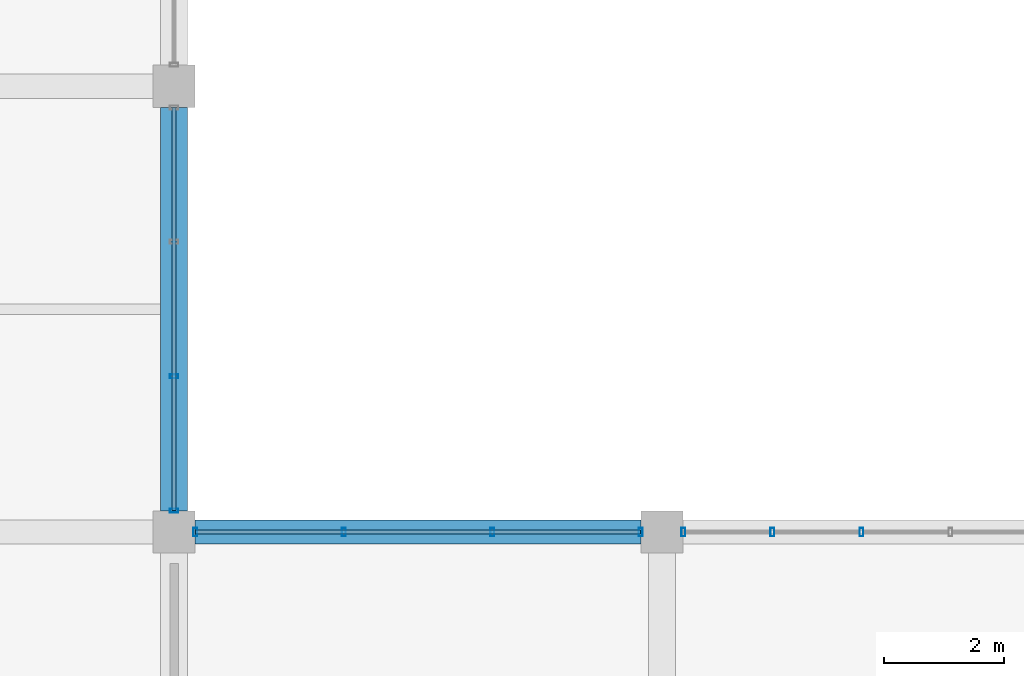
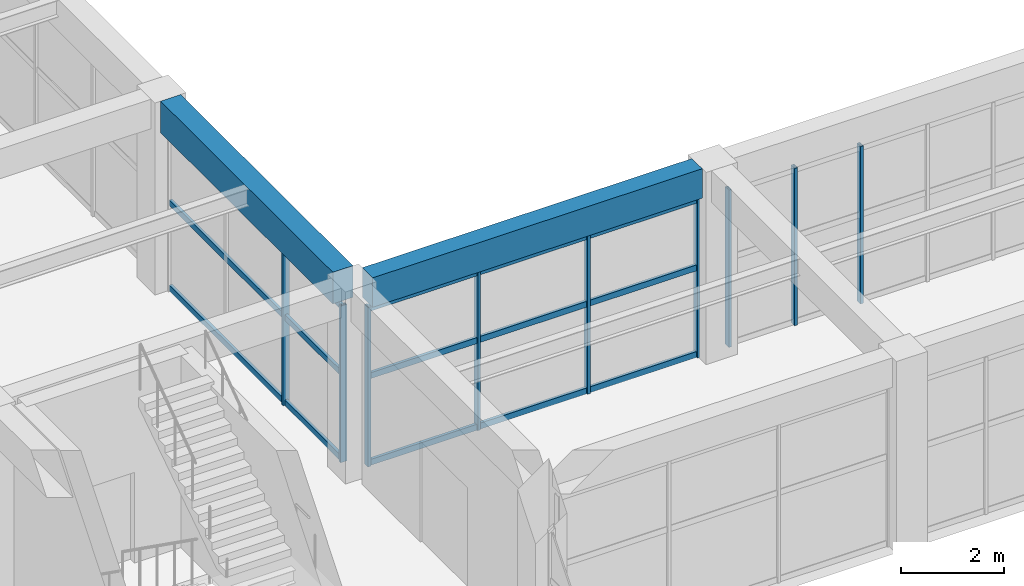
# One storey, part 31 of 161: 15 members, 2 beams, 3 elements without a shape of their own.
"""IFC4 building model written with IfcOpenShell, lengths in metres."""

from ifc_helpers import new_model, si_unit, direction, frame, origin, origin_2d, place, context, subcontext, project, spatial, rectangle, hollow_rectangle, extrude, material, material_profile, profile_set, type_object, element, aggregate, save


model = new_model("IFC4")

# Units and contexts
model_context = context("Model", 3, precision=1e-05, world=origin(), true_north=direction((0.0, 1.0)))
body_context = subcontext(model_context, "Body", "Model", "MODEL_VIEW")
ifc_project = project(units=[si_unit("LENGTHUNIT", "METRE"), si_unit("AREAUNIT", "SQUARE_METRE"), si_unit("VOLUMEUNIT", "CUBIC_METRE"), si_unit("PLANEANGLEUNIT", "RADIAN"), si_unit("MASSUNIT", "GRAM", prefix="KILO")], contexts=[model_context])

# Site, building, storey
site_placement = place(None, origin())
site = spatial("IfcSite", under=ifc_project, at=site_placement, CompositionType="ELEMENT")
building_placement = place(site_placement, origin())
building = spatial("IfcBuilding", under=site, at=building_placement, Name="Cimatlan Art Gallery", CompositionType="ELEMENT")
storey_placement = place(building_placement, frame((0.0, 0.0, 5.39990234375)))
storey = spatial("IfcBuildingStorey", under=building, at=storey_placement, Name="L01", CompositionType="ELEMENT", Elevation=5.39990234375)

# Beams
ifc_material_1 = material(Name="Concrete C40/50", Category="concrete")
ifc_material_profile_1 = material_profile(ifc_material_1, rectangle(XDim=0.39990234375, YDim=0.699951171875, at=origin_2d()), Name="RC400X700")
ifc_profile_set_1 = profile_set([ifc_material_profile_1], Name="Concrete C40/50")
beam_type_1 = type_object("IfcBeamType", Name="BM-RC-400X700", PredefinedType="BEAM", material=ifc_profile_set_1)
beam_1_placement = place(storey_placement, frame((50.949951171875, 60.89990234375, 4.210205078125), z_axis=(1.0, 0.0, 0.0), x_axis=(0.0, 1.0, 0.0)))
element("IfcBeam", 1, at=beam_1_placement, inside=storey, type_object=beam_type_1, Name="BM-X-L01-06-08", PredefinedType="BEAM", context=body_context, shape_type="SweptSolid", body=[
    extrude(rectangle(XDim=0.39990234375, YDim=0.699951171875, at=origin_2d()), origin(), (0.0, 0.0, 1.0), 7.400146484375),
])
ifc_material_profile_2 = material_profile(ifc_material_1, rectangle(XDim=0.449951171875, YDim=0.75, at=origin_2d()), Name="RC450X750")
ifc_profile_set_2 = profile_set([ifc_material_profile_2], Name="Concrete C40/50")
beam_type_2 = type_object("IfcBeamType", Name="BM-RC-450X750", PredefinedType="BEAM", material=ifc_profile_set_2)
beam_2_placement = place(storey_placement, frame((50.60009765625, 61.25, 4.18505859375), z_axis=(0.0, 1.0, 0.0), x_axis=(-1.0, 0.0, 0.0)))
element("IfcBeam", 2, at=beam_2_placement, inside=storey, type_object=beam_type_2, Name="BM-Y-L01-06-08", PredefinedType="BEAM", context=body_context, shape_type="SweptSolid", body=[
    extrude(rectangle(XDim=0.449951171875, YDim=0.75, at=origin_2d()), origin(), (0.0, 0.0, 1.0), 6.699951171875),
])

# Curtain wall, members
ifc_material_2 = material(Name="Anodised bronze unitised curtain wall")
curtain_wall_type_1 = type_object("IfcCurtainWallType", Name="CW-V-06692X03720-B3", PredefinedType="NOTDEFINED", material=ifc_material_2)
curtain_wall_1_placement = place(storey_placement, origin())
curtain_wall_1 = element("IfcCurtainWall", 3, at=curtain_wall_1_placement, inside=storey, type_object=curtain_wall_type_1, Name="CW-L01-05-08-E", PredefinedType="NOTDEFINED")
ifc_material_3 = material(Name="Anodised bronze aluminium 6063-T6", Category="aluminium")
ifc_material_profile_3 = material_profile(ifc_material_3, hollow_rectangle(XDim=0.06494140625, YDim=0.139892578125, WallThickness=0.00390625, at=origin_2d()), Name="ALU65X140X4")
ifc_profile_set_3 = profile_set([ifc_material_profile_3], Name="Anodised bronze aluminium 6063-T6")
member_type_1 = type_object("IfcMemberType", Name="CW-MUL-140", PredefinedType="MULLION", material=ifc_profile_set_3)
member_1_placement = place(storey_placement, frame((50.60009765625, 63.484619140625, 0.0), z_axis=(0.0, 0.0, 1.0), x_axis=(0.0, 1.0, 0.0)))
member_1 = element("IfcMember", 4, at=member_1_placement, type_object=member_type_1, Name="CW-L01-05-08-E-M3", PredefinedType="MULLION", context=body_context, shape_type="SweptSolid", body=[
    extrude(hollow_rectangle(XDim=0.06494140625, YDim=0.139892578125, WallThickness=0.00390625, at=origin_2d()), origin(), (0.0, 0.0, 1.0), 3.72021484375),
])
member_2_placement = place(storey_placement, frame((50.60009765625, 61.25390625, 0.0), z_axis=(0.0, 0.0, 1.0), x_axis=(0.0, 1.0, 0.0)))
member_2 = element("IfcMember", 5, at=member_2_placement, type_object=member_type_1, Name="CW-L01-05-08-E-M4", PredefinedType="MULLION", context=body_context, shape_type="SweptSolid", body=[
    extrude(hollow_rectangle(XDim=0.06494140625, YDim=0.139892578125, WallThickness=0.00390625, at=origin_2d()), origin(), (0.0, 0.0, 1.0), 3.72021484375),
])

curtain_wall_type_2 = type_object("IfcCurtainWallType", Name="CW-V-07392X03780-B3", PredefinedType="NOTDEFINED", material=ifc_material_2)
curtain_wall_2_placement = place(storey_placement, origin())
curtain_wall_2 = element("IfcCurtainWall", 6, at=curtain_wall_2_placement, inside=storey, type_object=curtain_wall_type_2, Name="CW-L01-06-07-N", PredefinedType="NOTDEFINED")
member_3_placement = place(storey_placement, frame((50.9541015625, 60.89990234375, 0.0), z_axis=(0.0, 0.0, 1.0), x_axis=(1.0, 0.0, 0.0)))
member_3 = element("IfcMember", 7, at=member_3_placement, type_object=member_type_1, Name="CW-L01-06-07-N-M1", PredefinedType="MULLION", context=body_context, shape_type="SweptSolid", body=[
    extrude(hollow_rectangle(XDim=0.06494140625, YDim=0.139892578125, WallThickness=0.00390625, at=origin_2d()), origin(), (0.0, 0.0, 1.0), 3.780029296875),
])
member_4_placement = place(storey_placement, frame((53.41796875, 60.89990234375, 0.0), z_axis=(0.0, 0.0, 1.0), x_axis=(1.0, 0.0, 0.0)))
member_4 = element("IfcMember", 8, at=member_4_placement, type_object=member_type_1, Name="CW-L01-06-07-N-M2", PredefinedType="MULLION", context=body_context, shape_type="SweptSolid", body=[
    extrude(hollow_rectangle(XDim=0.06494140625, YDim=0.139892578125, WallThickness=0.00390625, at=origin_2d()), origin(), (0.0, 0.0, 1.0), 3.780029296875),
])
member_5_placement = place(storey_placement, frame((55.882080078125, 60.89990234375, 0.0), z_axis=(0.0, 0.0, 1.0), x_axis=(1.0, 0.0, 0.0)))
member_5 = element("IfcMember", 9, at=member_5_placement, type_object=member_type_1, Name="CW-L01-06-07-N-M3", PredefinedType="MULLION", context=body_context, shape_type="SweptSolid", body=[
    extrude(hollow_rectangle(XDim=0.06494140625, YDim=0.139892578125, WallThickness=0.00390625, at=origin_2d()), origin(), (0.0, 0.0, 1.0), 3.780029296875),
])
member_6_placement = place(storey_placement, frame((58.345947265625, 60.89990234375, 0.0), z_axis=(0.0, 0.0, 1.0), x_axis=(1.0, 0.0, 0.0)))
member_6 = element("IfcMember", 10, at=member_6_placement, type_object=member_type_1, Name="CW-L01-06-07-N-M4", PredefinedType="MULLION", context=body_context, shape_type="SweptSolid", body=[
    extrude(hollow_rectangle(XDim=0.06494140625, YDim=0.139892578125, WallThickness=0.00390625, at=origin_2d()), origin(), (0.0, 0.0, 1.0), 3.780029296875),
])

curtain_wall_type_3 = type_object("IfcCurtainWallType", Name="CW-V-07392X03735-B5", PredefinedType="NOTDEFINED", material=ifc_material_2)
curtain_wall_3_placement = place(storey_placement, origin())
curtain_wall_3 = element("IfcCurtainWall", 11, at=curtain_wall_3_placement, inside=storey, type_object=curtain_wall_type_3, Name="CW-L01-07-07-N", PredefinedType="NOTDEFINED")
member_7_placement = place(storey_placement, frame((59.053955078125, 60.89990234375, 0.0), z_axis=(0.0, 0.0, 1.0), x_axis=(1.0, 0.0, 0.0)))
member_7 = element("IfcMember", 12, at=member_7_placement, type_object=member_type_1, Name="CW-L01-07-07-N-M1", PredefinedType="MULLION", context=body_context, shape_type="SweptSolid", body=[
    extrude(hollow_rectangle(XDim=0.06494140625, YDim=0.139892578125, WallThickness=0.00390625, at=origin_2d()), origin(), (0.0, 0.0, 1.0), 3.735107421875),
])
member_8_placement = place(storey_placement, frame((60.532470703125, 60.89990234375, 0.0), z_axis=(0.0, 0.0, 1.0), x_axis=(1.0, 0.0, 0.0)))
member_8 = element("IfcMember", 13, at=member_8_placement, type_object=member_type_1, Name="CW-L01-07-07-N-M2", PredefinedType="MULLION", context=body_context, shape_type="SweptSolid", body=[
    extrude(hollow_rectangle(XDim=0.06494140625, YDim=0.139892578125, WallThickness=0.00390625, at=origin_2d()), origin(), (0.0, 0.0, 1.0), 3.735107421875),
])
member_9_placement = place(storey_placement, frame((62.0107421875, 60.89990234375, 0.0), z_axis=(0.0, 0.0, 1.0), x_axis=(1.0, 0.0, 0.0)))
member_9 = element("IfcMember", 14, at=member_9_placement, type_object=member_type_1, Name="CW-L01-07-07-N-M3", PredefinedType="MULLION", context=body_context, shape_type="SweptSolid", body=[
    extrude(hollow_rectangle(XDim=0.06494140625, YDim=0.139892578125, WallThickness=0.00390625, at=origin_2d()), origin(), (0.0, 0.0, 1.0), 3.735107421875),
])
aggregate(curtain_wall_3, [member_7, member_8, member_9])

# Member
ifc_material_profile_4 = material_profile(ifc_material_3, hollow_rectangle(XDim=0.06494140625, YDim=0.139892578125, WallThickness=0.00390625, at=origin_2d()), Name="ALU65X140X4")
ifc_profile_set_4 = profile_set([ifc_material_profile_4], Name="Anodised bronze aluminium 6063-T6")
member_type_2 = type_object("IfcMemberType", Name="CW-TRN-140", PredefinedType="USERDEFINED", material=ifc_profile_set_4)
member_10_placement = place(storey_placement, frame((50.60009765625, 67.946044921875, 0.06005859375), z_axis=(0.0, -1.0, 0.0), x_axis=(1.0, 0.0, 0.0)))
member_10 = element("IfcMember", 15, at=member_10_placement, type_object=member_type_2, Name="CW-L01-05-08-E-T1", ObjectType="TRANSOM", PredefinedType="USERDEFINED", context=body_context, shape_type="SweptSolid", body=[
    extrude(hollow_rectangle(XDim=0.06494140625, YDim=0.139892578125, WallThickness=0.00390625, at=origin_2d()), origin(), (0.0, 0.0, 1.0), 6.692138671875),
])

member_11_placement = place(storey_placement, frame((50.60009765625, 67.946044921875, 2.083251953125), z_axis=(0.0, -1.0, 0.0), x_axis=(1.0, 0.0, 0.0)))
member_11 = element("IfcMember", 16, at=member_11_placement, type_object=member_type_2, Name="CW-L01-05-08-E-T2", ObjectType="TRANSOM", PredefinedType="USERDEFINED", context=body_context, shape_type="SweptSolid", body=[
    extrude(hollow_rectangle(XDim=0.06494140625, YDim=0.139892578125, WallThickness=0.00390625, at=origin_2d()), origin(), (0.0, 0.0, 1.0), 6.692138671875),
])

member_12_placement = place(storey_placement, frame((50.60009765625, 67.946044921875, 3.66015625), z_axis=(0.0, -1.0, 0.0), x_axis=(1.0, 0.0, 0.0)))
member_12 = element("IfcMember", 17, at=member_12_placement, type_object=member_type_2, Name="CW-L01-05-08-E-T3", ObjectType="TRANSOM", PredefinedType="USERDEFINED", context=body_context, shape_type="SweptSolid", body=[
    extrude(hollow_rectangle(XDim=0.06494140625, YDim=0.139892578125, WallThickness=0.00390625, at=origin_2d()), origin(), (0.0, 0.0, 1.0), 6.692138671875),
])

aggregate(curtain_wall_1, [member_1, member_2, member_10, member_11, member_12])

member_13_placement = place(storey_placement, frame((50.9541015625, 60.89990234375, 0.06005859375), z_axis=(1.0, 0.0, 0.0), x_axis=(0.0, 1.0, 0.0)))
member_13 = element("IfcMember", 18, at=member_13_placement, type_object=member_type_2, Name="CW-L01-06-07-N-T1", ObjectType="TRANSOM", PredefinedType="USERDEFINED", context=body_context, shape_type="SweptSolid", body=[
    extrude(hollow_rectangle(XDim=0.06494140625, YDim=0.139892578125, WallThickness=0.00390625, at=origin_2d()), origin(), (0.0, 0.0, 1.0), 7.391845703125),
])

member_14_placement = place(storey_placement, frame((50.9541015625, 60.89990234375, 2.116943359375), z_axis=(1.0, 0.0, 0.0), x_axis=(0.0, 1.0, 0.0)))
member_14 = element("IfcMember", 19, at=member_14_placement, type_object=member_type_2, Name="CW-L01-06-07-N-T2", ObjectType="TRANSOM", PredefinedType="USERDEFINED", context=body_context, shape_type="SweptSolid", body=[
    extrude(hollow_rectangle(XDim=0.06494140625, YDim=0.139892578125, WallThickness=0.00390625, at=origin_2d()), origin(), (0.0, 0.0, 1.0), 7.391845703125),
])

member_15_placement = place(storey_placement, frame((50.9541015625, 60.89990234375, 3.72021484375), z_axis=(1.0, 0.0, 0.0), x_axis=(0.0, 1.0, 0.0)))
member_15 = element("IfcMember", 20, at=member_15_placement, type_object=member_type_2, Name="CW-L01-06-07-N-T3", ObjectType="TRANSOM", PredefinedType="USERDEFINED", context=body_context, shape_type="SweptSolid", body=[
    extrude(hollow_rectangle(XDim=0.06494140625, YDim=0.139892578125, WallThickness=0.00390625, at=origin_2d()), origin(), (0.0, 0.0, 1.0), 7.391845703125),
])

aggregate(curtain_wall_2, [member_3, member_4, member_5, member_6, member_13, member_14, member_15])

save(model, "model.ifc")
